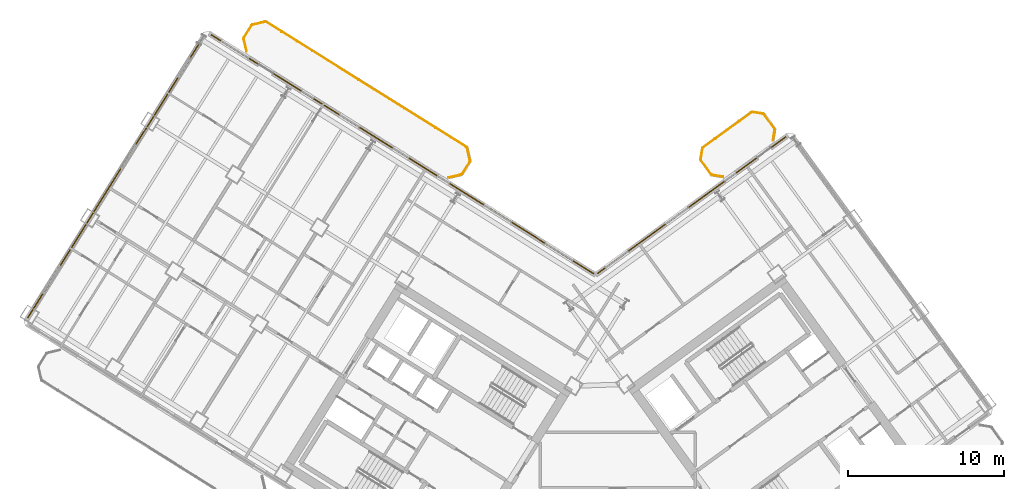
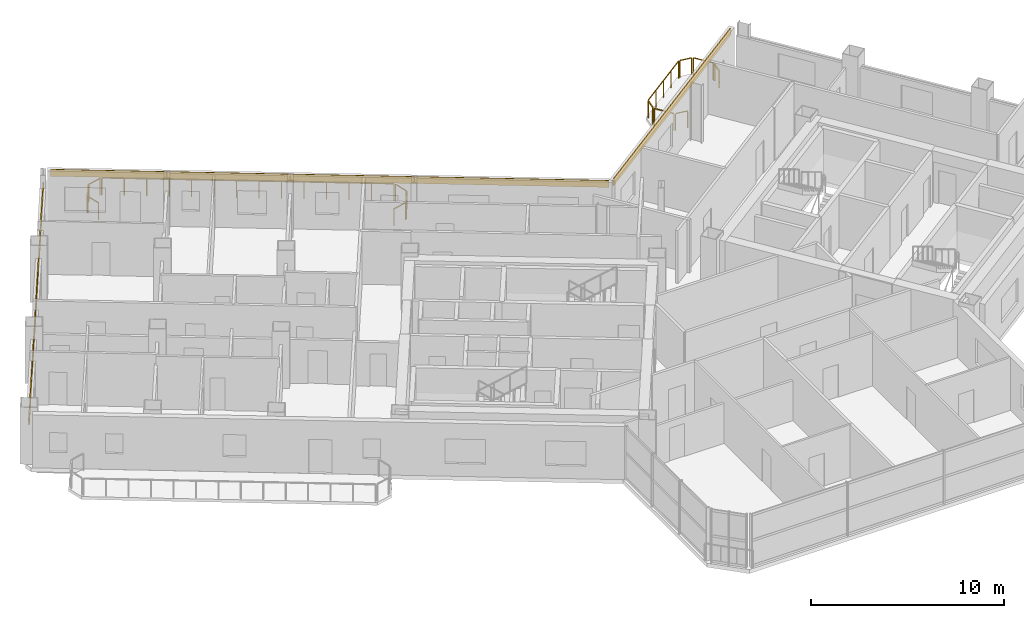
# One storey, part 21 of 21: 14 railings, 3 coverings.
"""IFC4 building model written with IfcOpenShell, lengths in metres."""

from ifc_helpers import new_model, si_unit, direction, frame, origin, origin_2d, place, context, subcontext, project, spatial, rectangle, extrude, source, transform, mapped, material, layer, layer_set, type_object, element, save


model = new_model("IFC4")

# Units and contexts
model_context = context("Model", 3, precision=1e-05, world=origin(), true_north=direction((0.0, 1.0)))
body_context = subcontext(model_context, "Body", "Model", "MODEL_VIEW")
ifc_project = project(units=[si_unit("LENGTHUNIT", "METRE"), si_unit("AREAUNIT", "SQUARE_METRE"), si_unit("VOLUMEUNIT", "CUBIC_METRE"), si_unit("PLANEANGLEUNIT", "RADIAN"), si_unit("MASSUNIT", "GRAM", prefix="KILO")], contexts=[model_context])

# Site, building, storey
site_placement = place(None, origin())
site = spatial("IfcSite", under=ifc_project, at=site_placement, CompositionType="ELEMENT")
building_placement = place(site_placement, origin())
building = spatial("IfcBuilding", under=site, at=building_placement, Name="Tlacorven Tower", CompositionType="ELEMENT")
storey_placement = place(building_placement, frame((0.0, 0.0, 112.5)))
storey = spatial("IfcBuildingStorey", under=building, at=storey_placement, Name="L28", CompositionType="ELEMENT", Elevation=112.5)

# Railings
ifc_material_1 = material(Name="Aluminium and painted steel balustrade", Category="steel")
railing_type = type_object("IfcRailingType", Name="RL-BAL-1100", PredefinedType="BALUSTRADE", material=ifc_material_1)
shared_shape_1 = source(origin(), body_context, "Body", "SweptSolid", [
    extrude(rectangle(XDim=0.048095703125, YDim=0.048095703125, at=origin_2d()), frame((0.0, 0.0, 1.076171875), z_axis=(0.974345290916, 0.225058334816, 0.0), x_axis=(-0.225058334816, 0.974345290916, 0.0)), (0.0, 0.0, 1.0), 0.80712890625),
    extrude(rectangle(XDim=0.0419921875, YDim=0.0419921875, at=origin_2d()), origin(), (0.0, 0.0, 1.0), 1.052001953125),
    extrude(rectangle(XDim=0.0419921875, YDim=0.0419921875, at=origin_2d()), frame((0.786376953125, 0.181640625, 0.0)), (0.0, 0.0, 1.0), 1.052001953125),
])
railing_1_placement = place(storey_placement, frame((20.2138671875, 47.643798828125, 0.0)))
element("IfcRailing", 1, at=railing_1_placement, inside=storey, type_object=railing_type, Name="BAL-L28-W-IN Guard Railing 6", PredefinedType="BALUSTRADE", context=body_context, shape_type="MappedRepresentation", body=[
    mapped(shared_shape_1, transform((0.0, 0.0, 0.0), scale=1.0)),
])
shared_shape_2 = source(origin(), body_context, "Body", "SweptSolid", [
    extrude(rectangle(XDim=0.048095703125, YDim=0.048095703125, at=origin_2d()), frame((0.0, 0.0, 1.076171875), z_axis=(-0.987661653326, 0.156602868908, 0.0), x_axis=(-0.156602868908, -0.987661653326, 0.0)), (0.0, 0.0, 1.0), 0.665771484375),
    extrude(rectangle(XDim=0.0419921875, YDim=0.0419921875, at=origin_2d()), origin(), (0.0, 0.0, 1.0), 1.052001953125),
    extrude(rectangle(XDim=0.0419921875, YDim=0.0419921875, at=origin_2d()), frame((-0.657470703125, 0.104248046875, 0.0)), (0.0, 0.0, 1.0), 1.052001953125),
])
railing_2_placement = place(storey_placement, frame((50.359130859375, 37.891845703125, 0.0)))
element("IfcRailing", 2, at=railing_2_placement, inside=storey, type_object=railing_type, Name="BAL-L28-E-IN Guard Railing 1", PredefinedType="BALUSTRADE", context=body_context, shape_type="MappedRepresentation", body=[
    mapped(shared_shape_2, transform((0.0, 0.0, 0.0), scale=1.0)),
])
shared_shape_3 = source(origin(), body_context, "Body", "SweptSolid", [
    extrude(rectangle(XDim=0.048095703125, YDim=0.048095703125, at=origin_2d()), frame((0.0, 0.0, 1.076171875), z_axis=(0.156602868908, 0.987661653326, 0.0), x_axis=(-0.987661653326, 0.156602868908, 0.0)), (0.0, 0.0, 1.0), 0.665771484375),
    extrude(rectangle(XDim=0.0419921875, YDim=0.0419921875, at=origin_2d()), origin(), (0.0, 0.0, 1.0), 1.052001953125),
    extrude(rectangle(XDim=0.0419921875, YDim=0.0419921875, at=origin_2d()), frame((0.104248046875, 0.657470703125, 0.0)), (0.0, 0.0, 1.0), 1.052001953125),
])
railing_3_placement = place(storey_placement, frame((48.947509765625, 39.033935546875, 0.0)))
element("IfcRailing", 3, at=railing_3_placement, inside=storey, type_object=railing_type, Name="BAL-L28-E-IN Guard Railing 3", PredefinedType="BALUSTRADE", context=body_context, shape_type="MappedRepresentation", body=[
    mapped(shared_shape_3, transform((0.0, 0.0, 0.0), scale=1.0)),
])
shared_shape_4 = source(origin(), body_context, "Body", "SweptSolid", [
    extrude(rectangle(XDim=0.048095703125, YDim=0.048095703125, at=origin_2d()), frame((0.0, 0.0, 1.076171875), z_axis=(-0.156245081039, -0.987718317463, 0.0), x_axis=(0.987718317463, -0.156245081039, 0.0)), (0.0, 0.0, 1.0), 0.66552734375),
    extrude(rectangle(XDim=0.0419921875, YDim=0.0419921875, at=origin_2d()), origin(), (0.0, 0.0, 1.0), 1.052001953125),
    extrude(rectangle(XDim=0.0419921875, YDim=0.0419921875, at=origin_2d()), frame((-0.10400390625, -0.657470703125, 0.0)), (0.0, 0.0, 1.0), 1.052001953125),
])
railing_4_placement = place(storey_placement, frame((53.689453125, 40.893310546875, 0.0)))
element("IfcRailing", 4, at=railing_4_placement, inside=storey, type_object=railing_type, Name="BAL-L28-E-IN Guard Railing 7", PredefinedType="BALUSTRADE", context=body_context, shape_type="MappedRepresentation", body=[
    mapped(shared_shape_4, transform((0.0, 0.0, 0.0), scale=1.0)),
])

# Covering
ifc_material_2 = material(Name="Precast concrete C45/55", Category="concrete")
ifc_layer = layer(ifc_material_2, 0.06005859375)
ifc_layer_set = layer_set([ifc_layer], Name="Precast concrete C45/55")
covering_type = type_object("IfcCoveringType", Name="CV-CLD-TERC", PredefinedType="CLADDING", material=ifc_layer_set)
shared_shape_5 = source(origin(), body_context, "Body", "SweptSolid", [
    extrude(rectangle(XDim=21.287353515625, YDim=0.06005859375, at=origin_2d()), origin(), (0.0, 0.0, 1.0), 0.419921875),
])
covering_1_placement = place(storey_placement, frame((11.419677734375, 37.864013671875, 2.35498046875), z_axis=(0.0, 0.0, 1.0), x_axis=(0.529919147866, 0.848048168871, 0.0)))
element("IfcCovering", 5, at=covering_1_placement, inside=storey, type_object=covering_type, Name="L28 Masonry-Frame Spandrel Cladding 2", PredefinedType="CLADDING", context=body_context, shape_type="MappedRepresentation", body=[
    mapped(shared_shape_5, transform((0.0, 0.0, 0.0), scale=1.0)),
])

# Railings
shared_shape_6 = source(origin(), body_context, "Body", "SweptSolid", [
    extrude(rectangle(XDim=0.048095703125, YDim=0.048095703125, at=origin_2d()), frame((0.0, 0.0, 1.076171875), z_axis=(0.529998940003, 0.847998304005, 0.0), x_axis=(-0.847998304005, 0.529998940003, 0.0)), (0.0, 0.0, 1.0), 0.912109375),
    extrude(rectangle(XDim=0.0419921875, YDim=0.0419921875, at=origin_2d()), origin(), (0.0, 0.0, 1.0), 1.052001953125),
    extrude(rectangle(XDim=0.0419921875, YDim=0.0419921875, at=origin_2d()), frame((0.4833984375, 0.7734375, 0.0)), (0.0, 0.0, 1.0), 1.052001953125),
])
railing_5_placement = place(storey_placement, frame((19.6552734375, 46.816650390625, 0.0)))
element("IfcRailing", 6, at=railing_5_placement, inside=storey, type_object=railing_type, Name="BAL-L28-W-IN Guard Railing 5", PredefinedType="BALUSTRADE", context=body_context, shape_type="MappedRepresentation", body=[
    mapped(shared_shape_6, transform((0.0, 0.0, 0.0), scale=1.0)),
])
shared_shape_7 = source(origin(), body_context, "Body", "SweptSolid", [
    extrude(rectangle(XDim=0.048095703125, YDim=0.048095703125, at=origin_2d()), frame((0.0, 0.0, 1.076171875), z_axis=(0.224992020761, -0.974360606036, 0.0), x_axis=(0.974360606036, 0.224992020761, 0.0)), (0.0, 0.0, 1.0), 0.807373046875),
    extrude(rectangle(XDim=0.0419921875, YDim=0.0419921875, at=origin_2d()), origin(), (0.0, 0.0, 1.0), 1.052001953125),
    extrude(rectangle(XDim=0.0419921875, YDim=0.0419921875, at=origin_2d()), frame((0.181640625, -0.78662109375, 0.0)), (0.0, 0.0, 1.0), 1.052001953125),
])
railing_6_placement = place(storey_placement, frame((33.965087890625, 39.72412109375, 0.0)))
element("IfcRailing", 7, at=railing_6_placement, inside=storey, type_object=railing_type, Name="BAL-L28-W-IN Guard Railing 1", PredefinedType="BALUSTRADE", context=body_context, shape_type="MappedRepresentation", body=[
    mapped(shared_shape_7, transform((0.0, 0.0, 0.0), scale=1.0)),
])
shared_shape_8 = source(origin(), body_context, "Body", "SweptSolid", [
    extrude(rectangle(XDim=0.048095703125, YDim=0.048095703125, at=origin_2d()), frame((0.0, 0.0, 1.076171875), z_axis=(-0.529998940003, -0.847998304005, 0.0), x_axis=(0.847998304005, -0.529998940003, 0.0)), (0.0, 0.0, 1.0), 0.912109375),
    extrude(rectangle(XDim=0.0419921875, YDim=0.0419921875, at=origin_2d()), origin(), (0.0, 0.0, 1.0), 1.052001953125),
    extrude(rectangle(XDim=0.0419921875, YDim=0.0419921875, at=origin_2d()), frame((-0.4833984375, -0.7734375, 0.0)), (0.0, 0.0, 1.0), 1.052001953125),
])
railing_7_placement = place(storey_placement, frame((34.131591796875, 38.846435546875, 0.0)))
element("IfcRailing", 8, at=railing_7_placement, inside=storey, type_object=railing_type, Name="BAL-L28-W-IN Guard Railing 2", PredefinedType="BALUSTRADE", context=body_context, shape_type="MappedRepresentation", body=[
    mapped(shared_shape_8, transform((0.0, 0.0, 0.0), scale=1.0)),
])
shared_shape_9 = source(origin(), body_context, "Body", "SweptSolid", [
    extrude(rectangle(XDim=0.048095703125, YDim=0.048095703125, at=origin_2d()), frame((0.0, 0.0, 1.076171875), z_axis=(-0.974360606036, -0.224992020761, 0.0), x_axis=(0.224992020761, -0.974360606036, 0.0)), (0.0, 0.0, 1.0), 0.807373046875),
    extrude(rectangle(XDim=0.0419921875, YDim=0.0419921875, at=origin_2d()), origin(), (0.0, 0.0, 1.0), 1.052001953125),
    extrude(rectangle(XDim=0.0419921875, YDim=0.0419921875, at=origin_2d()), frame((-0.78662109375, -0.181640625, 0.0)), (0.0, 0.0, 1.0), 1.052001953125),
])
railing_8_placement = place(storey_placement, frame((33.572998046875, 38.019287109375, 0.0)))
element("IfcRailing", 9, at=railing_8_placement, inside=storey, type_object=railing_type, Name="BAL-L28-W-IN Guard Railing 3", PredefinedType="BALUSTRADE", context=body_context, shape_type="MappedRepresentation", body=[
    mapped(shared_shape_9, transform((0.0, 0.0, 0.0), scale=1.0)),
])
shared_shape_10 = source(origin(), body_context, "Body", "SweptSolid", [
    extrude(rectangle(XDim=0.048095703125, YDim=0.048095703125, at=origin_2d()), frame((0.0, 0.0, 1.076171875), z_axis=(-0.22470489119, 0.974426863277, 0.0), x_axis=(-0.974426863277, -0.22470489119, 0.0)), (0.0, 0.0, 1.0), 0.807373046875),
    extrude(rectangle(XDim=0.0419921875, YDim=0.0419921875, at=origin_2d()), origin(), (0.0, 0.0, 1.0), 1.052001953125),
    extrude(rectangle(XDim=0.0419921875, YDim=0.0419921875, at=origin_2d()), frame((-0.181396484375, 0.78662109375, 0.0)), (0.0, 0.0, 1.0), 1.052001953125),
])
railing_9_placement = place(storey_placement, frame((19.821533203125, 45.93896484375, 0.0)))
element("IfcRailing", 10, at=railing_9_placement, inside=storey, type_object=railing_type, Name="BAL-L28-W-IN Guard Railing 4", PredefinedType="BALUSTRADE", context=body_context, shape_type="MappedRepresentation", body=[
    mapped(shared_shape_10, transform((0.0, 0.0, 0.0), scale=1.0)),
])
shared_shape_11 = source(origin(), body_context, "Body", "SweptSolid", [
    extrude(rectangle(XDim=0.048095703125, YDim=0.048095703125, at=origin_2d()), frame((0.0, 0.0, 1.076171875), z_axis=(0.848051830527, -0.529913287944, 0.0), x_axis=(0.529913287944, 0.848051830527, 0.0)), (0.0, 0.0, 1.0), 15.1171875),
    extrude(rectangle(XDim=0.0419921875, YDim=0.0419921875, at=origin_2d()), origin(), (0.0, 0.0, 1.0), 1.052001953125),
    extrude(rectangle(XDim=0.0419921875, YDim=0.0419921875, at=origin_2d()), frame((0.986083984375, -0.6162109375, 0.0)), (0.0, 0.0, 1.0), 1.052001953125),
    extrude(rectangle(XDim=0.0419921875, YDim=0.0419921875, at=origin_2d()), frame((1.972412109375, -1.232421875, 0.0)), (0.0, 0.0, 1.0), 1.052001953125),
    extrude(rectangle(XDim=0.0419921875, YDim=0.0419921875, at=origin_2d()), frame((2.95849609375, -1.8486328125, 0.0)), (0.0, 0.0, 1.0), 1.052001953125),
    extrude(rectangle(XDim=0.0419921875, YDim=0.0419921875, at=origin_2d()), frame((3.944580078125, -2.46484375, 0.0)), (0.0, 0.0, 1.0), 1.052001953125),
    extrude(rectangle(XDim=0.0419921875, YDim=0.0419921875, at=origin_2d()), frame((4.930908203125, -3.0810546875, 0.0)), (0.0, 0.0, 1.0), 1.052001953125),
    extrude(rectangle(XDim=0.0419921875, YDim=0.0419921875, at=origin_2d()), frame((5.9169921875, -3.697265625, 0.0)), (0.0, 0.0, 1.0), 1.052001953125),
    extrude(rectangle(XDim=0.0419921875, YDim=0.0419921875, at=origin_2d()), frame((6.903076171875, -4.3134765625, 0.0)), (0.0, 0.0, 1.0), 1.052001953125),
    extrude(rectangle(XDim=0.0419921875, YDim=0.0419921875, at=origin_2d()), frame((7.88916015625, -4.9296875, 0.0)), (0.0, 0.0, 1.0), 1.052001953125),
    extrude(rectangle(XDim=0.0419921875, YDim=0.0419921875, at=origin_2d()), frame((8.87548828125, -5.5458984375, 0.0)), (0.0, 0.0, 1.0), 1.052001953125),
    extrude(rectangle(XDim=0.0419921875, YDim=0.0419921875, at=origin_2d()), frame((9.861572265625, -6.162109375, 0.0)), (0.0, 0.0, 1.0), 1.052001953125),
    extrude(rectangle(XDim=0.0419921875, YDim=0.0419921875, at=origin_2d()), frame((10.84765625, -6.7783203125, 0.0)), (0.0, 0.0, 1.0), 1.052001953125),
    extrude(rectangle(XDim=0.0419921875, YDim=0.0419921875, at=origin_2d()), frame((11.833984375, -7.39453125, 0.0)), (0.0, 0.0, 1.0), 1.052001953125),
    extrude(rectangle(XDim=0.0419921875, YDim=0.0419921875, at=origin_2d()), frame((12.820068359375, -8.0107421875, 0.0)), (0.0, 0.0, 1.0), 1.052001953125),
])
railing_10_placement = place(storey_placement, frame((21.091552734375, 47.81005859375, 0.0)))
element("IfcRailing", 11, at=railing_10_placement, inside=storey, type_object=railing_type, Name="BAL-L28-W-IN Guard Railing 7", PredefinedType="BALUSTRADE", context=body_context, shape_type="MappedRepresentation", body=[
    mapped(shared_shape_11, transform((0.0, 0.0, 0.0), scale=1.0)),
])
shared_shape_12 = source(origin(), body_context, "Body", "SweptSolid", [
    extrude(rectangle(XDim=0.048095703125, YDim=0.048095703125, at=origin_2d()), frame((0.0, 0.0, 1.076171875), z_axis=(-0.587636431696, 0.809125097957, 0.0), x_axis=(-0.809125097957, -0.587636431696, 0.0)), (0.0, 0.0, 1.0), 1.1123046875),
    extrude(rectangle(XDim=0.0419921875, YDim=0.0419921875, at=origin_2d()), origin(), (0.0, 0.0, 1.0), 1.052001953125),
    extrude(rectangle(XDim=0.0419921875, YDim=0.0419921875, at=origin_2d()), frame((-0.653564453125, 0.89990234375, 0.0)), (0.0, 0.0, 1.0), 1.052001953125),
])
railing_11_placement = place(storey_placement, frame((49.622802734375, 38.044189453125, 0.0)))
element("IfcRailing", 12, at=railing_11_placement, inside=storey, type_object=railing_type, Name="BAL-L28-E-IN Guard Railing 2", PredefinedType="BALUSTRADE", context=body_context, shape_type="MappedRepresentation", body=[
    mapped(shared_shape_12, transform((0.0, 0.0, 0.0), scale=1.0)),
])
shared_shape_13 = source(origin(), body_context, "Body", "SweptSolid", [
    extrude(rectangle(XDim=0.048095703125, YDim=0.048095703125, at=origin_2d()), frame((0.0, 0.0, 1.076171875), z_axis=(0.809018102573, 0.587783726986, 0.0), x_axis=(-0.587783726986, 0.809018102573, 0.0)), (0.0, 0.0, 1.0), 3.817138671875),
    extrude(rectangle(XDim=0.0419921875, YDim=0.0419921875, at=origin_2d()), origin(), (0.0, 0.0, 1.0), 1.052001953125),
    extrude(rectangle(XDim=0.0419921875, YDim=0.0419921875, at=origin_2d()), frame((0.77197265625, 0.56103515625, 0.0)), (0.0, 0.0, 1.0), 1.052001953125),
    extrude(rectangle(XDim=0.0419921875, YDim=0.0419921875, at=origin_2d()), frame((1.5439453125, 1.121826171875, 0.0)), (0.0, 0.0, 1.0), 1.052001953125),
    extrude(rectangle(XDim=0.0419921875, YDim=0.0419921875, at=origin_2d()), frame((2.316162109375, 1.6826171875, 0.0)), (0.0, 0.0, 1.0), 1.052001953125),
    extrude(rectangle(XDim=0.0419921875, YDim=0.0419921875, at=origin_2d()), frame((3.088134765625, 2.24365234375, 0.0)), (0.0, 0.0, 1.0), 1.052001953125),
])
railing_12_placement = place(storey_placement, frame((49.10009765625, 39.77001953125, 0.0)))
element("IfcRailing", 13, at=railing_12_placement, inside=storey, type_object=railing_type, Name="BAL-L28-E-IN Guard Railing 4", PredefinedType="BALUSTRADE", context=body_context, shape_type="MappedRepresentation", body=[
    mapped(shared_shape_13, transform((0.0, 0.0, 0.0), scale=1.0)),
])
shared_shape_14 = source(origin(), body_context, "Body", "SweptSolid", [
    extrude(rectangle(XDim=0.048095703125, YDim=0.048095703125, at=origin_2d()), frame((0.0, 0.0, 1.076171875), z_axis=(0.987661653326, -0.156602868908, 0.0), x_axis=(0.156602868908, 0.987661653326, 0.0)), (0.0, 0.0, 1.0), 0.665771484375),
    extrude(rectangle(XDim=0.0419921875, YDim=0.0419921875, at=origin_2d()), origin(), (0.0, 0.0, 1.0), 1.052001953125),
    extrude(rectangle(XDim=0.0419921875, YDim=0.0419921875, at=origin_2d()), frame((0.657470703125, -0.104248046875, 0.0)), (0.0, 0.0, 1.0), 1.052001953125),
])
railing_13_placement = place(storey_placement, frame((52.278076171875, 42.035400390625, 0.0)))
element("IfcRailing", 14, at=railing_13_placement, inside=storey, type_object=railing_type, Name="BAL-L28-E-IN Guard Railing 5", PredefinedType="BALUSTRADE", context=body_context, shape_type="MappedRepresentation", body=[
    mapped(shared_shape_14, transform((0.0, 0.0, 0.0), scale=1.0)),
])
shared_shape_15 = source(origin(), body_context, "Body", "SweptSolid", [
    extrude(rectangle(XDim=0.048095703125, YDim=0.048095703125, at=origin_2d()), frame((0.0, 0.0, 1.076171875), z_axis=(0.587780115446, -0.809020726488, 0.0), x_axis=(0.809020726488, 0.587780115446, 0.0)), (0.0, 0.0, 1.0), 1.1123046875),
    extrude(rectangle(XDim=0.0419921875, YDim=0.0419921875, at=origin_2d()), origin(), (0.0, 0.0, 1.0), 1.052001953125),
    extrude(rectangle(XDim=0.0419921875, YDim=0.0419921875, at=origin_2d()), frame((0.65380859375, -0.89990234375, 0.0)), (0.0, 0.0, 1.0), 1.052001953125),
])
railing_14_placement = place(storey_placement, frame((53.01416015625, 41.883056640625, 0.0)))
element("IfcRailing", 15, at=railing_14_placement, inside=storey, type_object=railing_type, Name="BAL-L28-E-IN Guard Railing 6", PredefinedType="BALUSTRADE", context=body_context, shape_type="MappedRepresentation", body=[
    mapped(shared_shape_15, transform((0.0, 0.0, 0.0), scale=1.0)),
])

# Coverings
shared_shape_16 = source(origin(), body_context, "Body", "SweptSolid", [
    extrude(rectangle(XDim=28.923095703125, YDim=0.06005859375, at=origin_2d()), origin(), (0.0, 0.0, 1.0), 0.419921875),
])
covering_2_placement = place(storey_placement, frame((29.815185546875, 39.34033203125, 2.929931640625), z_axis=(0.0, 0.0, 1.0), x_axis=(0.848048220257, -0.52991906563, 0.0)))
element("IfcCovering", 16, at=covering_2_placement, inside=storey, type_object=covering_type, Name="L28 Masonry-Frame Spandrel Cladding 3", PredefinedType="CLADDING", context=body_context, shape_type="MappedRepresentation", body=[
    mapped(shared_shape_16, transform((0.0, 0.0, 0.0), scale=1.0)),
])
shared_shape_17 = source(origin(), body_context, "Body", "SweptSolid", [
    extrude(rectangle(XDim=14.923095703125, YDim=0.06005859375, at=origin_2d()), origin(), (0.0, 0.0, 1.0), 0.419921875),
])
covering_3_placement = place(storey_placement, frame((48.3642578125, 36.0712890625, 2.929931640625), z_axis=(0.0, 0.0, 1.0), x_axis=(0.809016703631, 0.587785652468, 0.0)))
element("IfcCovering", 17, at=covering_3_placement, inside=storey, type_object=covering_type, Name="L28 Masonry-Frame Spandrel Cladding 4", PredefinedType="CLADDING", context=body_context, shape_type="MappedRepresentation", body=[
    mapped(shared_shape_17, transform((0.0, 0.0, 0.0), scale=1.0)),
])

save(model, "model.ifc")
